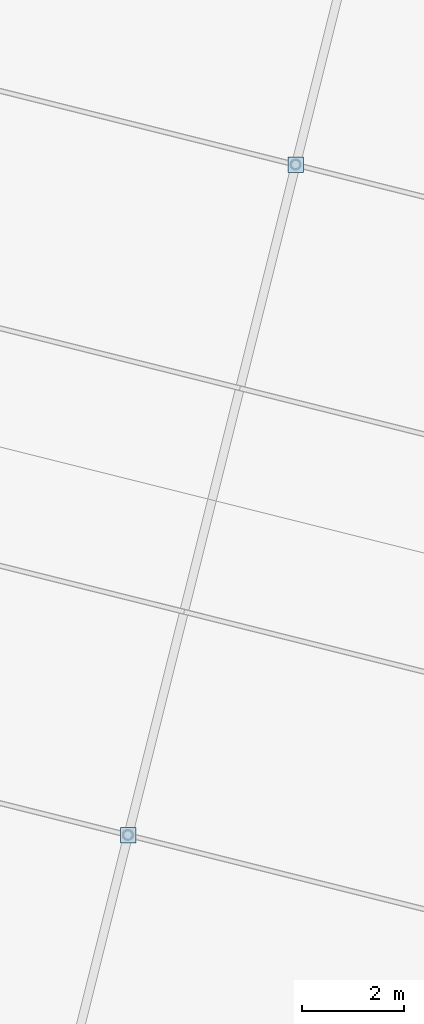
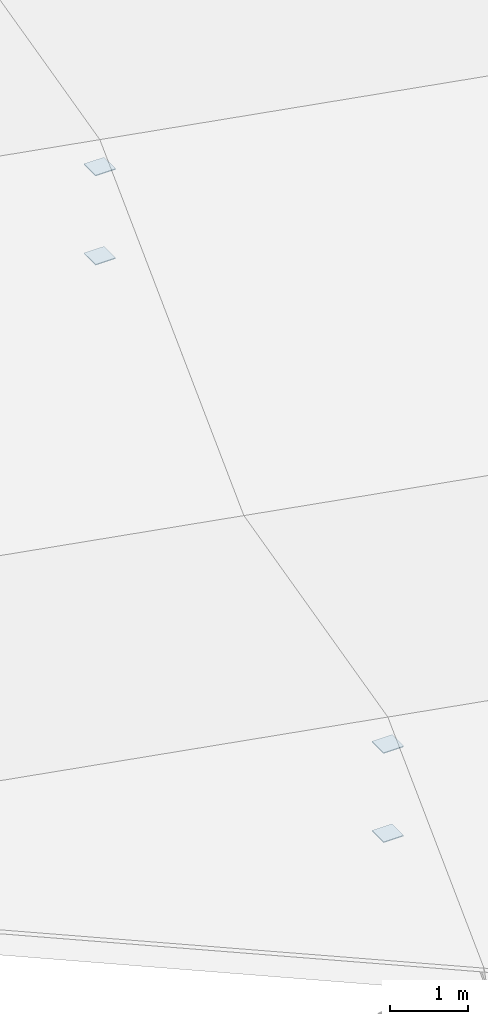
# One storey, part 100 of 107: 4 plates.
"""IFC4 building model written with IfcOpenShell, lengths in metres."""

from ifc_helpers import new_model, si_unit, derived_unit, direction, frame, origin, origin_2d, place, context, subcontext, project, spatial, rectangle, extrude, material, layer, layer_set, type_object, element, save


model = new_model("IFC4")

# Units and contexts
model_context = context("Model", 3, precision=1e-05, world=origin(), true_north=direction((0.0, 1.0)))
body_context = subcontext(model_context, "Body", "Model", "MODEL_VIEW")
ifc_project = project(units=[si_unit("LENGTHUNIT", "METRE"), si_unit("AREAUNIT", "SQUARE_METRE"), si_unit("VOLUMEUNIT", "CUBIC_METRE"), si_unit("PLANEANGLEUNIT", "RADIAN"), si_unit("MASSUNIT", "GRAM", prefix="KILO"), si_unit("THERMODYNAMICTEMPERATUREUNIT", "KELVIN"), si_unit("TIMEUNIT", "SECOND"), derived_unit("THERMALTRANSMITTANCEUNIT", [(si_unit("MASSUNIT", "GRAM", prefix="KILO"), 1), (si_unit("THERMODYNAMICTEMPERATUREUNIT", "KELVIN"), -1), (si_unit("TIMEUNIT", "SECOND"), -3)])], contexts=[model_context])

# Site, building, storey
site_placement = place(None, origin())
site = spatial("IfcSite", under=ifc_project, at=site_placement, CompositionType="ELEMENT")
building_placement = place(site_placement, origin())
building = spatial("IfcBuilding", under=site, at=building_placement, Name="Cambertide Market Hall", CompositionType="ELEMENT")
storey_placement = place(building_placement, frame((0.0, 0.0, 18.300048828125)))
storey = spatial("IfcBuildingStorey", under=building, at=storey_placement, Name="RF", CompositionType="ELEMENT", Elevation=18.300048828125)

# Plates
ifc_material = material(Name="Steel S355", Category="steel")
ifc_layer = layer(ifc_material, 0.013916015625, Name="Steel End Cap Plate EC-02")
ifc_layer_set = layer_set([ifc_layer], Name="Steel S355")
plate_type = type_object("IfcPlateType", Name="Steel End Cap Plate EC-02", PredefinedType="USERDEFINED", material=ifc_layer_set)
for number, where, z_axis, x_axis, name in (
    (1, (140.681640625, 98.787353515625, -0.4072265625), (0.0, 0.0, 1.0), (1.0, 0.0, 0.0), "High-Bay Brace Connection End Cap Plate EC-BRN-253"),
    (2, (140.681640625, 98.787353515625, 0.99609375), (0.0, 0.0, 1.0), (1.0, 0.0, 0.0), "High-Bay Brace Connection End Cap Plate EC-BRN-254"),
    (3, (143.955810546875, 111.88427734375, -0.4072265625), (0.0, 0.0, 1.0), (1.0, 0.0, 0.0), "High-Bay Brace Connection End Cap Plate EC-BRN-255"),
    (4, (143.955810546875, 111.88427734375, 0.99609375), (0.0, 0.0, 1.0), (1.0, 0.0, 0.0), "High-Bay Brace Connection End Cap Plate EC-BRN-256"),
):
    element("IfcPlate", number, at=place(storey_placement, frame(where, z_axis=z_axis, x_axis=x_axis)), inside=storey, type_object=plate_type, Name=name, ObjectType="END CAP PLATE", PredefinedType="USERDEFINED", context=body_context, shape_type="SweptSolid", body=[
        extrude(rectangle(XDim=0.300048828125, YDim=0.300048828125, at=origin_2d()), origin(), (0.0, 0.0, 1.0), 0.013916015625),
    ])

save(model, "model.ifc")
